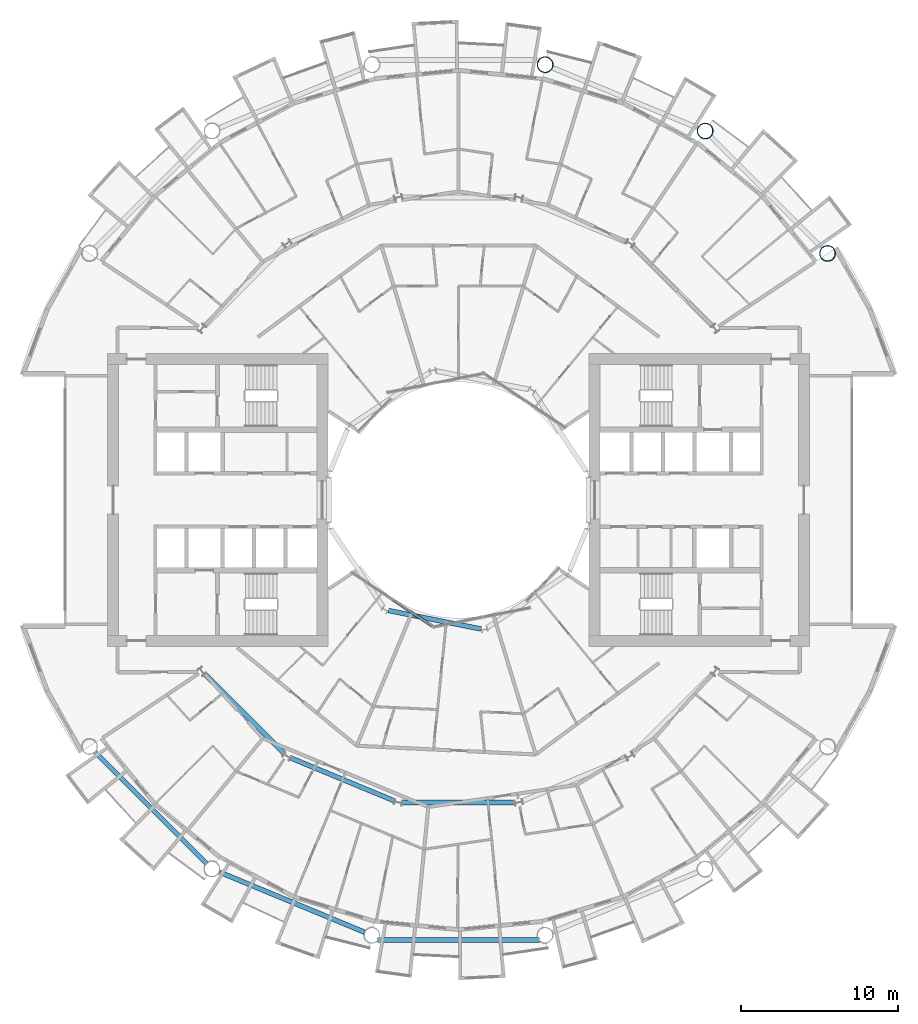
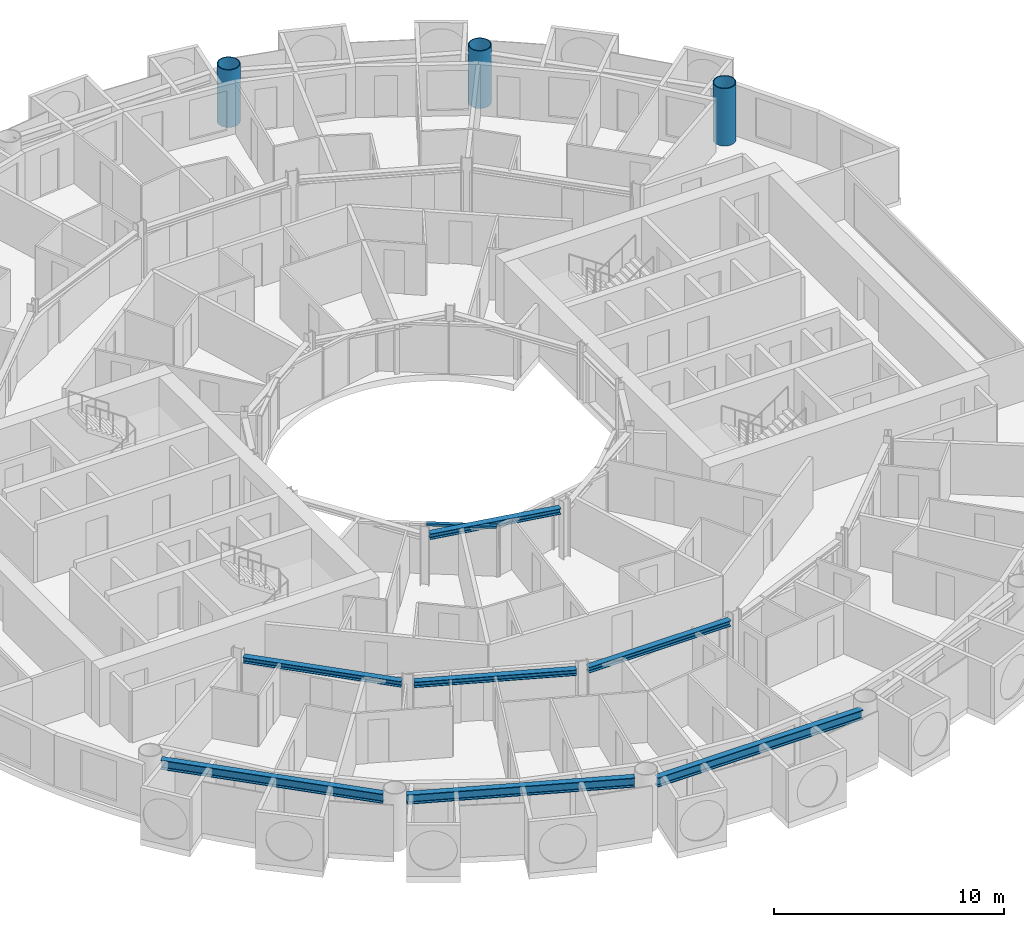
# One storey, part 4 of 26: 7 beams, 3 columns, 1 member, 1 element without a shape of its own.
"""IFC4 building model written with IfcOpenShell, lengths in metres."""

from ifc_helpers import new_model, si_unit, direction, frame, origin, origin_2d, place, context, subcontext, project, spatial, rectangle, hollow_circle, i_section, extrude, material, layer, layer_set, material_profile, profile_set, type_object, element, aggregate, save


model = new_model("IFC4")

# Units and contexts
model_context = context("Model", 3, precision=1e-05, world=origin(), true_north=direction((0.0, 1.0)))
body_context = subcontext(model_context, "Body", "Model", "MODEL_VIEW")
ifc_project = project(units=[si_unit("LENGTHUNIT", "METRE"), si_unit("AREAUNIT", "SQUARE_METRE"), si_unit("VOLUMEUNIT", "CUBIC_METRE"), si_unit("PLANEANGLEUNIT", "RADIAN"), si_unit("MASSUNIT", "GRAM", prefix="KILO")], contexts=[model_context])

# Site, building, storey
site_placement = place(None, origin())
site = spatial("IfcSite", under=ifc_project, at=site_placement, CompositionType="ELEMENT")
building_placement = place(site_placement, origin())
building = spatial("IfcBuilding", under=site, at=building_placement, Name="Maasbend Ring Residences", CompositionType="ELEMENT")
storey_placement = place(building_placement, frame((0.0, 0.0, 75.800048828125)))
storey = spatial("IfcBuildingStorey", under=building, at=storey_placement, Name="L21", CompositionType="ELEMENT", Elevation=75.800048828125)

# Columns
ifc_material_1 = material(Name="Composite concrete-filled steel tube S460NH / C80/95", Category="concrete")
ifc_material_profile_1 = material_profile(ifc_material_1, hollow_circle(Radius=0.508056640625, WallThickness=0.0400390625, at=origin_2d()), Name="Composite tube column CHS 1016x40")
ifc_profile_set_1 = profile_set([ifc_material_profile_1], Name="Composite concrete-filled steel tube S460NH / C80/95")
column_type = type_object("IfcColumnType", Name="Composite tube column CHS 1016x40", PredefinedType="COLUMN", material=ifc_profile_set_1)
for number, where, z_axis, x_axis, name in (
    (1, (23.447509765625, 15.6669921875, 0.0), (0.0, 0.0, 1.0), (1.0, 0.0, 0.0), "Outer column R2"),
    (2, (15.6669921875, 23.447509765625, 0.0), (0.0, 0.0, 1.0), (1.0, 0.0, 0.0), "Outer column R3"),
    (3, (5.50146484375, 27.658203125, 0.0), (0.0, 0.0, 1.0), (1.0, 0.0, 0.0), "Outer column R4"),
):
    element("IfcColumn", number, at=place(storey_placement, frame(where, z_axis=z_axis, x_axis=x_axis)), inside=storey, type_object=column_type, Name=name, PredefinedType="COLUMN", context=body_context, shape_type="SweptSolid", body=[
        extrude(hollow_circle(Radius=0.508056640625, WallThickness=0.0400390625, at=origin_2d()), origin(), (0.0, 0.0, 1.0), 3.050048828125),
    ])

# Curtain wall, member
ifc_material_2 = material(Name="Aluminium and clear glass", Category="aluminium")
ifc_layer = layer(ifc_material_2, 0.179931640625)
ifc_layer_set = layer_set([ifc_layer], Name="CW-W")
curtain_wall_type = type_object("IfcCurtainWallType", Name="CW-W", PredefinedType="NOTDEFINED", material=ifc_layer_set)
curtain_wall_placement = place(storey_placement, origin())
curtain_wall = element("IfcCurtainWall", 4, at=curtain_wall_placement, inside=storey, type_object=curtain_wall_type, Name="Well curtain wall S1", PredefinedType="NOTDEFINED")
ifc_material_3 = material(Name="Aluminium 6063-T6", Category="aluminium")
ifc_material_profile_2 = material_profile(ifc_material_3, rectangle(XDim=0.179931640625, YDim=0.1201171875, at=origin_2d()), Name="AL 180x120")
ifc_profile_set_2 = profile_set([ifc_material_profile_2], Name="Aluminium 6063-T6")
member_type = type_object("IfcMemberType", Name="CWT-W", PredefinedType="USERDEFINED", material=ifc_profile_set_2)
member_placement = place(storey_placement, frame((-4.19189453125, -6.32763671875, 2.639892578125), z_axis=(0.831496422459, -0.555530106689, 0.0), x_axis=(0.555530106689, 0.831496422459, 0.0)))
member = element("IfcMember", 5, at=member_placement, type_object=member_type, Name="Transom well face", ObjectType="TRANSOM", PredefinedType="USERDEFINED", context=body_context, shape_type="SweptSolid", body=[
    extrude(rectangle(XDim=0.179931640625, YDim=0.1201171875, at=origin_2d()), origin(), (0.0, 0.0, 1.0), 3.053955078125),
])
aggregate(curtain_wall, [member])

# Beams
ifc_material_4 = material(Name="Steel S355J2", Category="steel")
ifc_material_profile_3 = material_profile(ifc_material_4, i_section(OverallWidth=0.300048828125, OverallDepth=0.300048828125, WebThickness=0.010986328125, FlangeThickness=0.01904296875, FilletRadius=0.027099609375, at=origin_2d()), Name="HEB 300")
ifc_profile_set_3 = profile_set([ifc_material_profile_3], Name="Steel S355J2")
beam_type_1 = type_object("IfcBeamType", Name="Corridor ring beam HEB 300", PredefinedType="BEAM", material=ifc_profile_set_3)
for number, where, z_axis, x_axis, name in (
    (6, (-16.10791015625, -11.078125, 2.550048828125), (0.707106781187, -0.707106781187, 0.0), (0.707106781187, 0.707106781187, 0.0), "Corridor ring beam"),
    (7, (-10.642333984375, -16.39892578125, 2.550048828125), (0.923877113721, -0.382689271788, 0.0), (0.382689271788, 0.923877113721, 0.0), "Corridor ring beam"),
    (8, (-3.556640625, -19.223388671875, 2.550048828125), (1.0, 0.0, 0.0), (0.0, 1.0, 0.0), "Corridor ring beam"),
):
    element("IfcBeam", number, at=place(storey_placement, frame(where, z_axis=z_axis, x_axis=x_axis)), inside=storey, type_object=beam_type_1, Name=name, PredefinedType="BEAM", context=body_context, shape_type="SweptSolid", body=[
        extrude(i_section(OverallWidth=0.300048828125, OverallDepth=0.300048828125, WebThickness=0.010986328125, FlangeThickness=0.01904296875, FilletRadius=0.027099609375, at=origin_2d()), origin(), (0.0, 0.0, 1.0), 7.11328125),
    ])
ifc_material_5 = material(Name="Steel S355J2", Category="steel")
ifc_material_profile_4 = material_profile(ifc_material_5, i_section(OverallWidth=0.300048828125, OverallDepth=0.5, WebThickness=0.014404296875, FlangeThickness=0.028076171875, FilletRadius=0.027099609375, at=origin_2d()), Name="HEB 500")
ifc_profile_set_4 = profile_set([ifc_material_profile_4], Name="Steel S355J2")
beam_type_2 = type_object("IfcBeamType", Name="Spandrel ring beam HEB 500", PredefinedType="SPANDREL", material=ifc_profile_set_4)
beam_1_placement = place(storey_placement, frame((-23.088134765625, -16.0263671875, 2.449951171875), z_axis=(0.707106781187, -0.707106781187, 0.0), x_axis=(0.707106781187, 0.707106781187, 0.0)))
element("IfcBeam", 9, at=beam_1_placement, inside=storey, type_object=beam_type_2, Name="Spandrel ring beam", PredefinedType="SPANDREL", context=body_context, shape_type="SweptSolid", body=[
    extrude(i_section(OverallWidth=0.300048828125, OverallDepth=0.5, WebThickness=0.014404296875, FlangeThickness=0.028076171875, FilletRadius=0.027099609375, at=origin_2d()), origin(), (0.0, 0.0, 1.0), 9.98681640625),
])
beam_2_placement = place(storey_placement, frame((-15.19775390625, -23.641845703125, 2.449951171875), z_axis=(0.923886337442, -0.382667003395, 0.0), x_axis=(0.382667003395, 0.923886337442, 0.0)))
element("IfcBeam", 10, at=beam_2_placement, inside=storey, type_object=beam_type_2, Name="Spandrel ring beam", PredefinedType="SPANDREL", context=body_context, shape_type="SweptSolid", body=[
    extrude(i_section(OverallWidth=0.300048828125, OverallDepth=0.5, WebThickness=0.014404296875, FlangeThickness=0.028076171875, FilletRadius=0.027099609375, at=origin_2d()), origin(), (0.0, 0.0, 1.0), 9.9873046875),
])
beam_3_placement = place(storey_placement, frame((-5.1435546875, -27.9580078125, 2.449951171875), z_axis=(1.0, 0.0, 0.0), x_axis=(0.0, 1.0, 0.0)))
element("IfcBeam", 11, at=beam_3_placement, inside=storey, type_object=beam_type_2, Name="Spandrel ring beam", PredefinedType="SPANDREL", context=body_context, shape_type="SweptSolid", body=[
    extrude(i_section(OverallWidth=0.300048828125, OverallDepth=0.5, WebThickness=0.014404296875, FlangeThickness=0.028076171875, FilletRadius=0.027099609375, at=origin_2d()), origin(), (0.0, 0.0, 1.0), 10.287109375),
])
ifc_material_6 = material(Name="Steel S355J2", Category="steel")
ifc_material_profile_5 = material_profile(ifc_material_6, i_section(OverallWidth=0.300048828125, OverallDepth=0.300048828125, WebThickness=0.010986328125, FlangeThickness=0.01904296875, FilletRadius=0.027099609375, at=origin_2d()), Name="HEB 300")
ifc_profile_set_5 = profile_set([ifc_material_profile_5], Name="Steel S355J2")
beam_type_3 = type_object("IfcBeamType", Name="Well edge beam HEB 300", PredefinedType="BEAM", material=ifc_profile_set_5)
beam_4_placement = place(storey_placement, frame((-4.45458984375, -7.026611328125, 2.550048828125), z_axis=(0.980789954577, -0.195066821885, 0.0), x_axis=(0.195066821885, 0.980789954577, 0.0)))
element("IfcBeam", 12, at=beam_4_placement, inside=storey, type_object=beam_type_3, Name="Well edge beam", PredefinedType="BEAM", context=body_context, shape_type="SweptSolid", body=[
    extrude(i_section(OverallWidth=0.300048828125, OverallDepth=0.300048828125, WebThickness=0.010986328125, FlangeThickness=0.01904296875, FilletRadius=0.027099609375, at=origin_2d()), origin(), (0.0, 0.0, 1.0), 5.996337890625),
])

save(model, "model.ifc")
